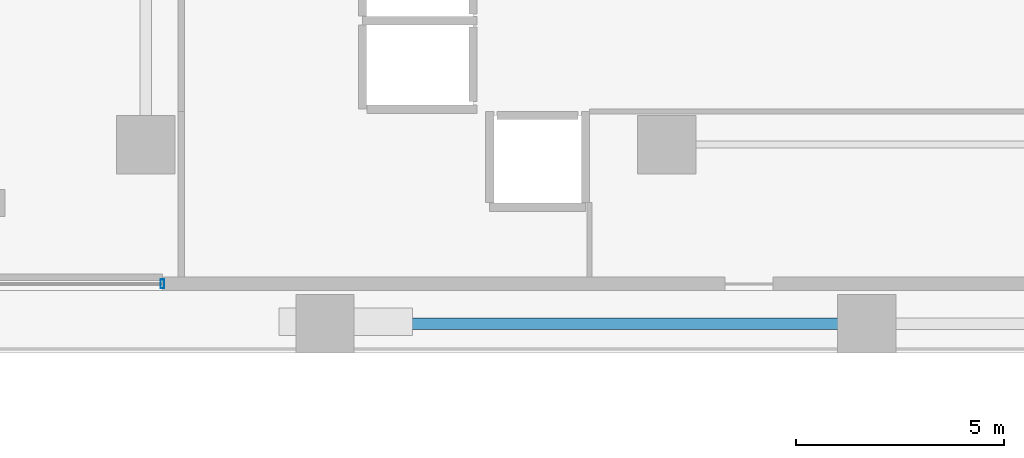
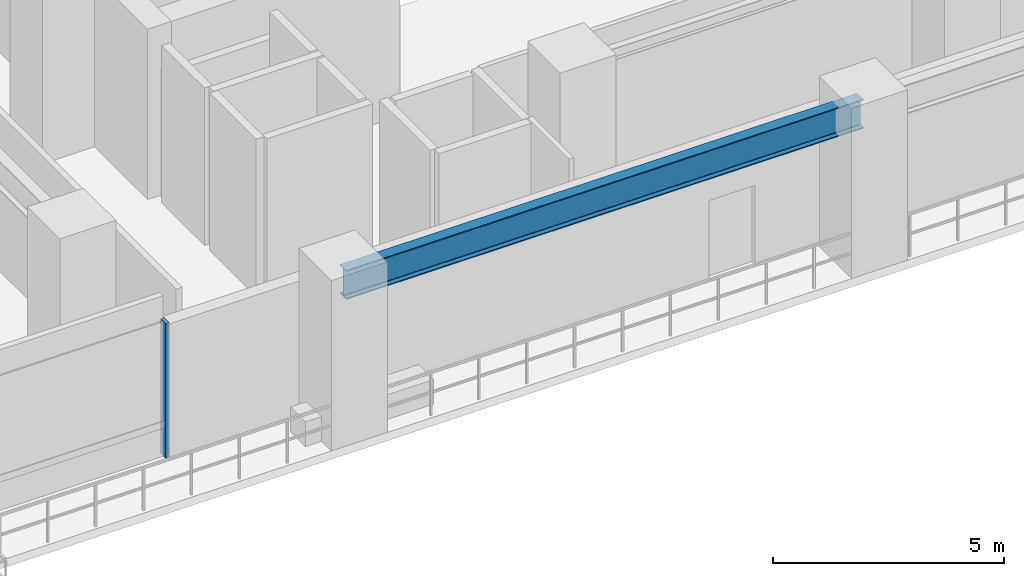
# One storey, part 7 of 22: 1 beam, 1 member, 1 element without a shape of its own.
"""IFC4 building model written with IfcOpenShell, lengths in metres."""

from ifc_helpers import new_model, si_unit, direction, frame, origin, origin_2d, place, context, subcontext, project, spatial, hollow_rectangle, i_section, extrude, material, material_profile, profile_set, type_object, element, aggregate, save


model = new_model("IFC4")

# Units and contexts
model_context = context("Model", 3, precision=1e-05, world=origin(), true_north=direction((0.0, 1.0)))
body_context = subcontext(model_context, "Body", "Model", "MODEL_VIEW")
ifc_project = project(units=[si_unit("LENGTHUNIT", "METRE"), si_unit("AREAUNIT", "SQUARE_METRE"), si_unit("VOLUMEUNIT", "CUBIC_METRE"), si_unit("PLANEANGLEUNIT", "RADIAN"), si_unit("MASSUNIT", "GRAM", prefix="KILO")], contexts=[model_context])

# Site, building, storey
site_placement = place(None, origin())
site = spatial("IfcSite", under=ifc_project, at=site_placement, CompositionType="ELEMENT")
building_placement = place(site_placement, origin())
building = spatial("IfcBuilding", under=site, at=building_placement, Name="Thornwick Lancets Civic Towers", CompositionType="ELEMENT")
storey_placement = place(building_placement, frame((0.0, 0.0, 18.60009765625)))
storey = spatial("IfcBuildingStorey", under=building, at=storey_placement, Name="L04", CompositionType="ELEMENT", Elevation=18.60009765625)

# Beam
ifc_material_1 = material(Name="Steel S355JR", Category="steel")
ifc_material_profile_1 = material_profile(ifc_material_1, i_section(OverallWidth=0.26806640625, OverallDepth=0.769775390625, WebThickness=0.015625, FlangeThickness=0.025390625, FilletRadius=0.0166015625, at=origin_2d()), Name="UKB 762x267x197")
ifc_profile_set_1 = profile_set([ifc_material_profile_1], Name="Steel S355JR")
beam_type = type_object("IfcBeamType", Name="BM_GIRD_762_197", PredefinedType="BEAM", material=ifc_profile_set_1)
beam_placement = place(storey_placement, frame((88.419921875, 9.699951171875, 3.794921875), z_axis=(-1.0, 0.0, 0.0), x_axis=(0.0, -1.0, 0.0)))
element("IfcBeam", 1, at=beam_placement, inside=storey, type_object=beam_type, Name="BM-SPINE-L04-B-10-11", PredefinedType="BEAM", context=body_context, shape_type="SweptSolid", body=[
    extrude(i_section(OverallWidth=0.26806640625, OverallDepth=0.769775390625, WebThickness=0.015625, FlangeThickness=0.025390625, FilletRadius=0.0166015625, at=origin_2d()), origin(), (0.0, 0.0, 1.0), 12.919921875),
])

# Curtain wall, member
ifc_material_2 = material(Name="Terracotta-trimmed cascading podium ribbon curtain wall", Category="masonry")
curtain_wall_type = type_object("IfcCurtainWallType", Name="CW_SYS_02", PredefinedType="NOTDEFINED", material=ifc_material_2)
curtain_wall_placement = place(storey_placement, origin())
curtain_wall = element("IfcCurtainWall", 2, at=curtain_wall_placement, inside=storey, type_object=curtain_wall_type, Name="L04 Curtain Wall CW-L04-POD-SC", PredefinedType="NOTDEFINED")
ifc_material_3 = material(Name="Thermally broken bronze aluminium S355", Category="steel")
ifc_material_profile_2 = material_profile(ifc_material_3, hollow_rectangle(XDim=0.090087890625, YDim=0.219970703125, WallThickness=0.00634765625, at=origin_2d()), Name="RHS 220x90x6.3")
ifc_profile_set_2 = profile_set([ifc_material_profile_2], Name="Thermally broken bronze aluminium S355")
member_type = type_object("IfcMemberType", Name="CW_MUL_220", PredefinedType="MULLION", material=ifc_profile_set_2)
member_placement = place(storey_placement, frame((71.60009765625, 10.659912109375, 0.0), z_axis=(0.0, 0.0, 1.0), x_axis=(1.0, 0.0, 0.0)))
member = element("IfcMember", 3, at=member_placement, type_object=member_type, Name="CW-L04-POD-SC Mullion 2", PredefinedType="MULLION", context=body_context, shape_type="SweptSolid", body=[
    extrude(hollow_rectangle(XDim=0.090087890625, YDim=0.219970703125, WallThickness=0.00634765625, at=origin_2d()), origin(), (0.0, 0.0, 1.0), 3.559814453125),
])
aggregate(curtain_wall, [member])

save(model, "model.ifc")
